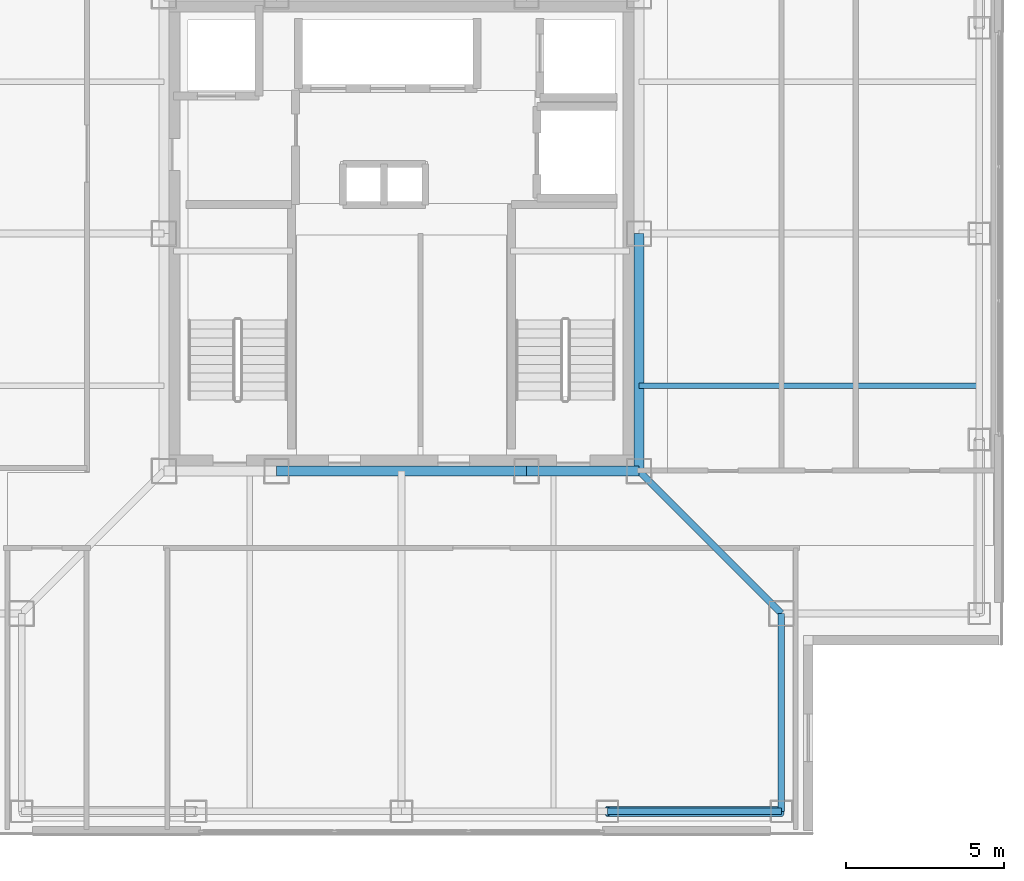
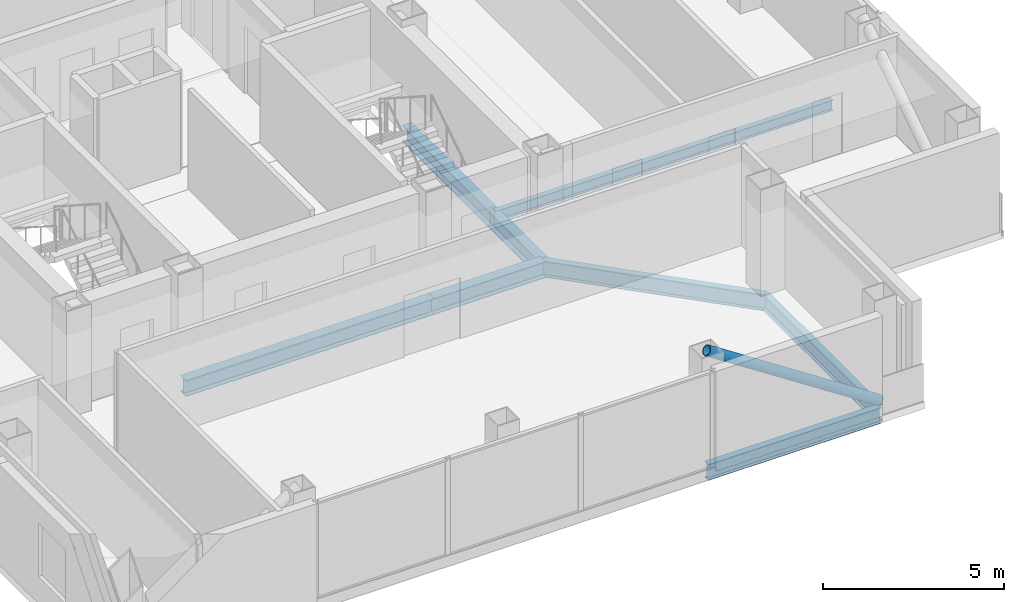
# One storey, part 3 of 16: 7 beams, 1 member.
"""IFC4 building model written with IfcOpenShell, lengths in metres."""

from ifc_helpers import new_model, si_unit, direction, frame, origin, origin_2d, place, context, subcontext, project, spatial, hollow_circle, i_section, extrude, material, material_profile, profile_set, type_object, element, save


model = new_model("IFC4")

# Units and contexts
model_context = context("Model", 3, precision=1e-05, world=origin(), true_north=direction((0.0, 1.0)))
body_context = subcontext(model_context, "Body", "Model", "MODEL_VIEW")
ifc_project = project(units=[si_unit("LENGTHUNIT", "METRE"), si_unit("AREAUNIT", "SQUARE_METRE"), si_unit("VOLUMEUNIT", "CUBIC_METRE"), si_unit("PLANEANGLEUNIT", "RADIAN"), si_unit("MASSUNIT", "GRAM", prefix="KILO")], contexts=[model_context])

# Site, building, storey
site_placement = place(None, origin())
site = spatial("IfcSite", under=ifc_project, at=site_placement, CompositionType="ELEMENT")
building_placement = place(site_placement, origin())
building = spatial("IfcBuilding", under=site, at=building_placement, Name="Trevonay Congress Spire", CompositionType="ELEMENT")
storey_placement = place(building_placement, frame((0.0, 0.0, 246.800048828125)))
storey = spatial("IfcBuildingStorey", under=building, at=storey_placement, Name="L64", CompositionType="ELEMENT", Elevation=246.800048828125)

# Beams
ifc_material_1 = material(Name="Steel ASTM A572 Grade 50", Category="steel")
ifc_material_profile_1 = material_profile(ifc_material_1, i_section(OverallWidth=0.2119140625, OverallDepth=0.5439453125, WebThickness=0.01318359375, FlangeThickness=0.021240234375, FilletRadius=0.014892578125, at=origin_2d()), Name="W530x123")
ifc_profile_set_1 = profile_set([ifc_material_profile_1], Name="Steel ASTM A572 Grade 50")
beam_type_1 = type_object("IfcBeamType", Name="BM-GIRD-W530X123", PredefinedType="BEAM", material=ifc_profile_set_1)
beam_1_placement = place(storey_placement, frame((7.5, -7.5, -0.511962890625), z_axis=(0.707106781187, -0.707106781187, 0.0), x_axis=(0.707106781187, 0.707106781187, 0.0)))
element("IfcBeam", 1, at=beam_1_placement, inside=storey, type_object=beam_type_1, Name="L64 structural beam BM-L64-CDSE", PredefinedType="BEAM", context=body_context, shape_type="SweptSolid", body=[
    extrude(i_section(OverallWidth=0.2119140625, OverallDepth=0.5439453125, WebThickness=0.01318359375, FlangeThickness=0.021240234375, FilletRadius=0.014892578125, at=origin_2d()), origin(), (0.0, 0.0, 1.0), 6.364013671875),
])
ifc_material_profile_2 = material_profile(ifc_material_1, i_section(OverallWidth=0.31201171875, OverallDepth=0.54296875, WebThickness=0.0126953125, FlangeThickness=0.020263671875, FilletRadius=0.014892578125, at=origin_2d()), Name="W530x150")
ifc_profile_set_2 = profile_set([ifc_material_profile_2], Name="Steel ASTM A572 Grade 50")
beam_type_2 = type_object("IfcBeamType", Name="BM-GIRD-W530X150", PredefinedType="BEAM", material=ifc_profile_set_2)
beam_2_placement = place(storey_placement, frame((-3.949951171875, -7.5, -0.511474609375), z_axis=(1.0, 0.0, 0.0), x_axis=(0.0, 1.0, 0.0)))
element("IfcBeam", 2, at=beam_2_placement, inside=storey, type_object=beam_type_2, Name="L64 structural beam BM-L64-CR-S2", PredefinedType="BEAM", context=body_context, shape_type="SweptSolid", body=[
    extrude(i_section(OverallWidth=0.31201171875, OverallDepth=0.54296875, WebThickness=0.0126953125, FlangeThickness=0.020263671875, FilletRadius=0.014892578125, at=origin_2d()), origin(), (0.0, 0.0, 1.0), 7.89990234375),
])
beam_3_placement = place(storey_placement, frame((3.949951171875, -7.5, -0.511474609375), z_axis=(1.0, 0.0, 0.0), x_axis=(0.0, 1.0, 0.0)))
element("IfcBeam", 3, at=beam_3_placement, inside=storey, type_object=beam_type_2, Name="L64 structural beam BM-L64-CR-S3", PredefinedType="BEAM", context=body_context, shape_type="SweptSolid", body=[
    extrude(i_section(OverallWidth=0.31201171875, OverallDepth=0.54296875, WebThickness=0.0126953125, FlangeThickness=0.020263671875, FilletRadius=0.014892578125, at=origin_2d()), origin(), (0.0, 0.0, 1.0), 3.550048828125),
])
beam_4_placement = place(storey_placement, frame((7.5, -7.5, -0.511474609375), z_axis=(0.0, 1.0, 0.0), x_axis=(-1.0, 0.0, 0.0)))
element("IfcBeam", 4, at=beam_4_placement, inside=storey, type_object=beam_type_2, Name="L64 structural beam BM-L64-CR-E1", PredefinedType="BEAM", context=body_context, shape_type="SweptSolid", body=[
    extrude(i_section(OverallWidth=0.31201171875, OverallDepth=0.54296875, WebThickness=0.0126953125, FlangeThickness=0.020263671875, FilletRadius=0.014892578125, at=origin_2d()), origin(), (0.0, 0.0, 1.0), 7.5),
])
ifc_material_profile_3 = material_profile(ifc_material_1, i_section(OverallWidth=0.208984375, OverallDepth=0.532958984375, WebThickness=0.01025390625, FlangeThickness=0.015625, FilletRadius=0.014892578125, at=origin_2d()), Name="W530x92")
ifc_profile_set_3 = profile_set([ifc_material_profile_3], Name="Steel ASTM A572 Grade 50")
beam_type_3 = type_object("IfcBeamType", Name="BM-RING-W530X92", PredefinedType="BEAM", material=ifc_profile_set_3)
beam_5_placement = place(storey_placement, frame((6.5, -18.25, -0.506591796875), z_axis=(1.0, 0.0, 0.0), x_axis=(0.0, 1.0, 0.0)))
element("IfcBeam", 5, at=beam_5_placement, inside=storey, type_object=beam_type_3, Name="L64 structural beam BM-L64-PS4", PredefinedType="BEAM", context=body_context, shape_type="SweptSolid", body=[
    extrude(i_section(OverallWidth=0.208984375, OverallDepth=0.532958984375, WebThickness=0.01025390625, FlangeThickness=0.015625, FilletRadius=0.014892578125, at=origin_2d()), origin(), (0.0, 0.0, 1.0), 5.5),
])
beam_6_placement = place(storey_placement, frame((12.0, -18.25, -0.506591796875), z_axis=(0.0, 1.0, 0.0), x_axis=(-1.0, 0.0, 0.0)))
element("IfcBeam", 6, at=beam_6_placement, inside=storey, type_object=beam_type_3, Name="L64 structural beam BM-L64-N1SE", PredefinedType="BEAM", context=body_context, shape_type="SweptSolid", body=[
    extrude(i_section(OverallWidth=0.208984375, OverallDepth=0.532958984375, WebThickness=0.01025390625, FlangeThickness=0.015625, FilletRadius=0.014892578125, at=origin_2d()), origin(), (0.0, 0.0, 1.0), 6.25),
])
ifc_material_profile_4 = material_profile(ifc_material_1, i_section(OverallWidth=0.172119140625, OverallDepth=0.35791015625, WebThickness=0.0078125, FlangeThickness=0.01318359375, FilletRadius=0.011962890625, at=origin_2d()), Name="W360x57.8")
ifc_profile_set_4 = profile_set([ifc_material_profile_4], Name="Steel ASTM A572 Grade 50")
beam_type_4 = type_object("IfcBeamType", Name="JS-COMP-W360X57", PredefinedType="JOIST", material=ifc_profile_set_4)
beam_7_placement = place(storey_placement, frame((7.5, -4.800048828125, -0.4189453125), z_axis=(1.0, 0.0, 0.0), x_axis=(0.0, 1.0, 0.0)))
element("IfcBeam", 7, at=beam_7_placement, inside=storey, type_object=beam_type_4, Name="L64 structural beam JS-L64-EW-E1", PredefinedType="JOIST", context=body_context, shape_type="SweptSolid", body=[
    extrude(i_section(OverallWidth=0.172119140625, OverallDepth=0.35791015625, WebThickness=0.0078125, FlangeThickness=0.01318359375, FilletRadius=0.011962890625, at=origin_2d()), origin(), (0.0, 0.0, 1.0), 10.75),
])

# Member
ifc_material_2 = material(Name="Steel ASTM A500 Grade C", Category="steel")
ifc_material_profile_5 = material_profile(ifc_material_2, hollow_circle(Radius=0.161865234375, WallThickness=0.01611328125, at=origin_2d()), Name="CHS 323.9x16")
ifc_profile_set_5 = profile_set([ifc_material_profile_5], Name="Steel ASTM A500 Grade C")
member_type = type_object("IfcMemberType", Name="MBR-TUBE-CHS324", PredefinedType="BRACE", material=ifc_profile_set_5)
member_placement = place(storey_placement, frame((12.0, -18.25, -0.050048828125), z_axis=(-0.836694709366, 0.0, 0.547669574943), x_axis=(0.0, -1.0, 0.0)))
element("IfcMember", 8, at=member_placement, inside=storey, type_object=member_type, Name="L64 perimeter braced-tube diagonal S3", PredefinedType="BRACE", context=body_context, shape_type="SweptSolid", body=[
    extrude(hollow_circle(Radius=0.161865234375, WallThickness=0.01611328125, at=origin_2d()), origin(), (0.0, 0.0, 1.0), 6.573486328125),
])

save(model, "model.ifc")
